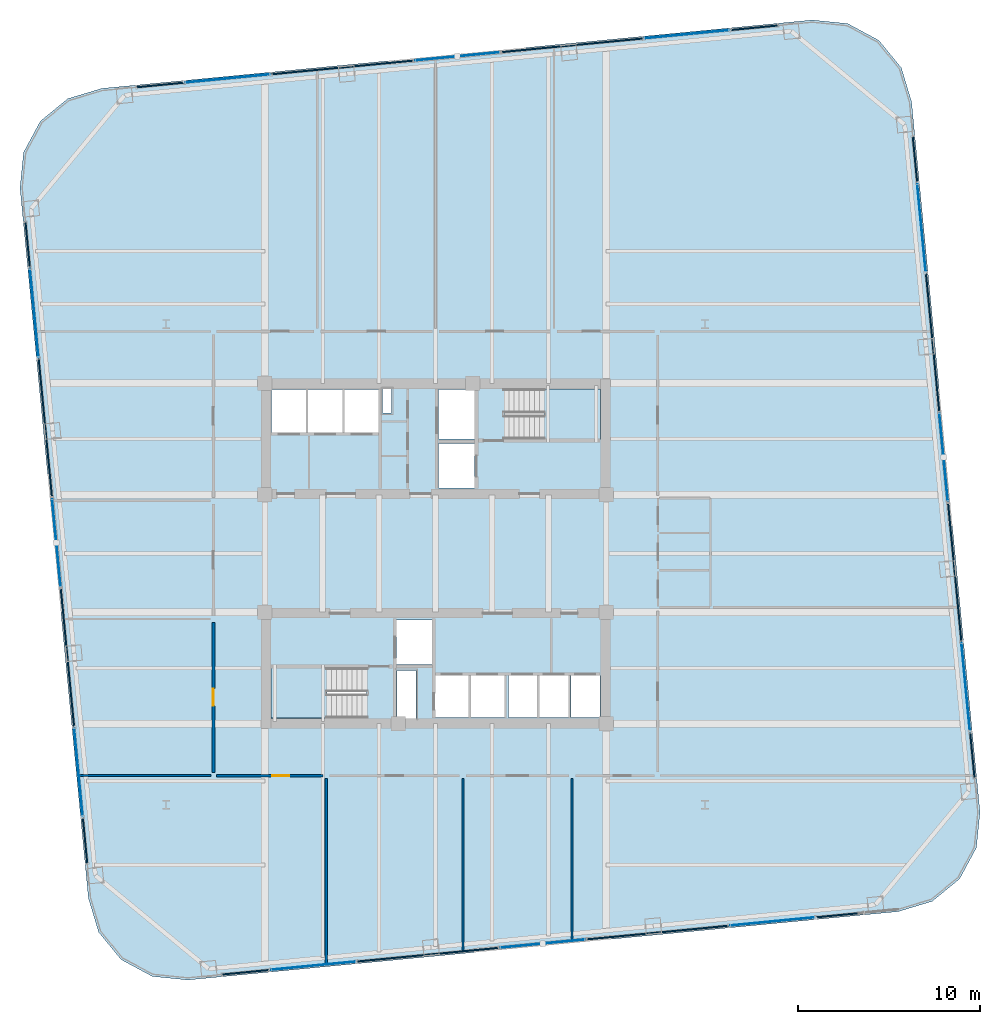
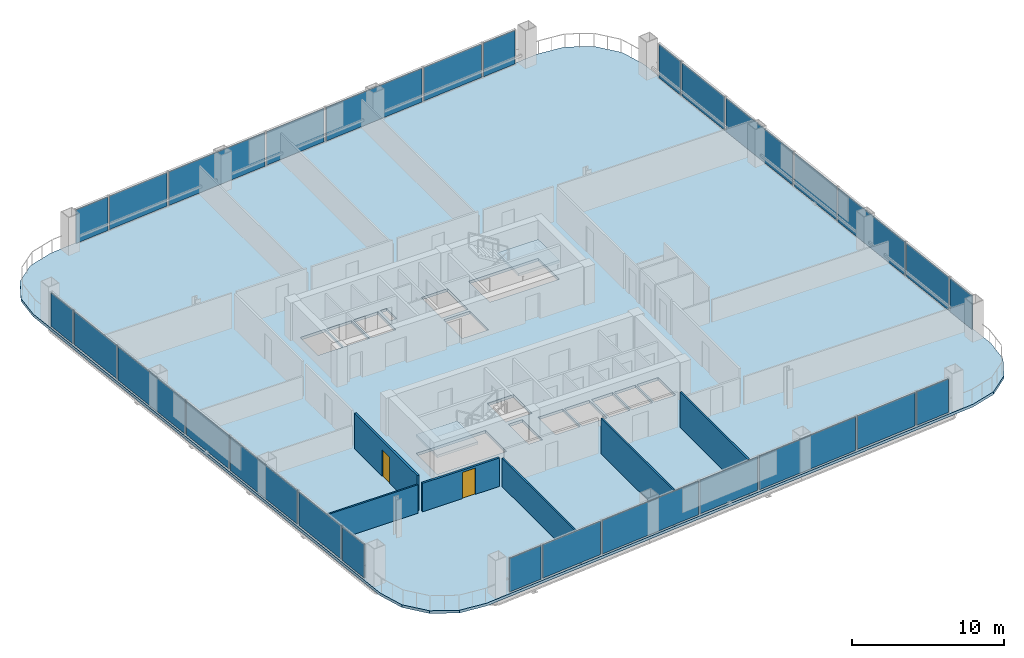
# One storey, part 26 of 32: 28 plates, 6 walls, 3 slabs, 2 doors, 2 openings, 30 elements without a shape of their own.
"""IFC4 building model written with IfcOpenShell, lengths in metres."""

import ifcopenshell
import ifcopenshell.guid

model = None  # the IFC model being written
_history = None  # IfcOwnerHistory: only IFC2X3 demands one
_inside = {}  # id of a spatial element -> (the spatial element, [elements in it])
_under = {}  # id of a project, library or spatial element -> (it, [spatial elements below it])
_declared = {}  # id of a project -> (the project, [libraries it declares])
_typed = {}  # id of a type object -> (the type object, [elements of that type])
_made_of = {}  # id of a material, layer set ... -> (it, [elements and type objects made of it])


def new_model(schema):
    """Start an empty IFC model of exactly this schema.

    Asked for "IFC4X3", IfcOpenShell would pick the latest addendum, in which some entities
    have other attributes; the version numbers below select the first issue.
    IFC2X3 requires an IfcOwnerHistory on every rooted entity: one is made here for all.
    """
    global model, _history
    if schema == "IFC4X3":
        model = ifcopenshell.file(schema_version=(4, 3, 0, 0))
    else:
        model = ifcopenshell.file(schema=schema)
    _inside.clear()
    _under.clear()
    _declared.clear()
    _typed.clear()
    _made_of.clear()
    _history = None
    if model.schema == "IFC2X3":
        org = make("IfcOrganization", Name="unknown")
        user = make(
            "IfcPersonAndOrganization",
            ThePerson=make("IfcPerson", FamilyName="unknown"),
            TheOrganization=org,
        )
        app = make(
            "IfcApplication",
            ApplicationDeveloper=org,
            Version="unknown",
            ApplicationFullName="unknown",
            ApplicationIdentifier="unknown",
        )
        _history = make(
            "IfcOwnerHistory",
            OwningUser=user,
            OwningApplication=app,
            ChangeAction="ADDED",
            CreationDate=0,
        )
    return model


def make(cls, **values):
    """One entity of the class cls with the attributes given. An attribute that is None is left unset."""
    return model.create_entity(
        cls, **{name: value for name, value in values.items() if value is not None}
    )


def rooted(cls, **values):
    """An entity with a GlobalId (a new one), such as an element, a storey or a relation."""
    return make(cls, GlobalId=ifcopenshell.guid.new(), OwnerHistory=_history, **values)


def si_unit(unit_type, name, prefix=None):
    """IfcSIUnit, for example si_unit("LENGTHUNIT", "METRE", prefix="MILLI")."""
    return make("IfcSIUnit", UnitType=unit_type, Prefix=prefix, Name=name)


def assignment(units):
    """IfcUnitAssignment: the units of a project."""
    return None if units is None else make("IfcUnitAssignment", Units=units)


def point(xyz):
    """IfcCartesianPoint."""
    return None if xyz is None else make("IfcCartesianPoint", Coordinates=xyz)


def direction(xyz):
    """IfcDirection."""
    return None if xyz is None else make("IfcDirection", DirectionRatios=xyz)


def frame(location, z_axis=None, x_axis=None):
    """IfcAxis2Placement3D, a coordinate frame: its origin and axes. An axis left out is left unset."""
    return make(
        "IfcAxis2Placement3D",
        Location=point(location),
        Axis=direction(z_axis),
        RefDirection=direction(x_axis),
    )


def frame_2d(location, x_axis=None):
    """IfcAxis2Placement2D, a coordinate frame in the plane: its origin and x axis."""
    return make(
        "IfcAxis2Placement2D", Location=point(location), RefDirection=direction(x_axis)
    )


def origin():
    """The frame at (0, 0, 0) with its axes left unset."""
    return frame((0.0, 0.0, 0.0))


def origin_2d():
    """The frame at (0, 0) in the plane with its x axis left unset."""
    return frame_2d((0.0, 0.0))


def place(relative_to, where):
    """IfcLocalPlacement: puts the frame where relative to a parent placement (None: the world)."""
    return make(
        "IfcLocalPlacement", PlacementRelTo=relative_to, RelativePlacement=where
    )


def context(
    kind, dimensions, precision=None, world=None, true_north=None, identifier=None
):
    """IfcGeometricRepresentationContext, for example the 3D "Model" context."""
    return make(
        "IfcGeometricRepresentationContext",
        ContextIdentifier=identifier,
        ContextType=kind,
        CoordinateSpaceDimension=dimensions,
        Precision=precision,
        WorldCoordinateSystem=world,
        TrueNorth=true_north,
    )


def subcontext(parent, identifier, kind, view, scale=None):
    """IfcGeometricRepresentationSubContext, for example "Body" below "Model"."""
    return make(
        "IfcGeometricRepresentationSubContext",
        ContextIdentifier=identifier,
        ContextType=kind,
        ParentContext=parent,
        TargetScale=scale,
        TargetView=view,
    )


def project(units=None, contexts=None):
    """IfcProject with its units and contexts."""
    return rooted(
        "IfcProject",
        Name="project",
        RepresentationContexts=contexts,
        UnitsInContext=assignment(units),
    )


def spatial(cls, under=None, at=None, **own):
    """A site, building, storey or space (cls), placed at a placement, below another one or the project."""
    s = rooted(cls, ObjectPlacement=at, **own)
    if under is not None:
        _under.setdefault(under.id(), (under, []))[1].append(s)
    return s


def polyline(points):
    """IfcPolyline through the points."""
    return make("IfcPolyline", Points=[point(p) for p in points])


def profile(cls, at=None, kind="AREA", **sizes):
    """A parametric profile (cls). Its sizes go by their IFC names, for example OverallWidth=200.0."""
    return make(cls, ProfileType=kind, Position=at, **sizes)


def rectangle(**sizes):
    """IfcRectangleProfileDef."""
    return profile("IfcRectangleProfileDef", **sizes)


def outline(outer, holes=None, kind="AREA"):
    """IfcArbitraryClosedProfileDef: a profile drawn as a closed curve; with holes, ...WithVoids."""
    if holes is None:
        return make("IfcArbitraryClosedProfileDef", ProfileType=kind, OuterCurve=outer)
    return make(
        "IfcArbitraryProfileDefWithVoids",
        ProfileType=kind,
        OuterCurve=outer,
        InnerCurves=holes,
    )


def extrude(swept, where, along, depth):
    """IfcExtrudedAreaSolid: the profile swept, set in the frame where, extruded along a direction by depth."""
    return make(
        "IfcExtrudedAreaSolid",
        SweptArea=swept,
        Position=where,
        ExtrudedDirection=direction(along),
        Depth=depth,
    )


def shape(context_of_items, identifier, shape_type, items):
    """IfcShapeRepresentation: the items that make up one representation, for example the "Body"."""
    return make(
        "IfcShapeRepresentation",
        ContextOfItems=context_of_items,
        RepresentationIdentifier=identifier,
        RepresentationType=shape_type,
        Items=items,
    )


def material(Name=None, Category=None):
    """IfcMaterial."""
    return make("IfcMaterial", Name=Name, Category=Category)


def layer(
    of_material, thickness, ventilated=None, Name=None, Category=None, Priority=None
):
    """IfcMaterialLayer: one layer of a wall or slab, of a material (None: an air gap)."""
    return make(
        "IfcMaterialLayer",
        Material=of_material,
        LayerThickness=thickness,
        IsVentilated=ventilated,
        Name=Name,
        Category=Category,
        Priority=Priority,
    )


def layer_set(layers, Name=None):
    """IfcMaterialLayerSet."""
    return make("IfcMaterialLayerSet", MaterialLayers=layers, LayerSetName=Name)


def made_of(thing, what):
    """Note that an element or type object is made of a material, layer set ...; save() writes the relation."""
    if what is not None:
        _made_of.setdefault(what.id(), (what, []))[1].append(thing)
    return thing


def type_object(cls, material=None, **own):
    """A type object (cls), such as IfcWallType, which elements share."""
    return made_of(rooted(cls, **own), material)


def element(
    cls,
    number,
    at=None,
    inside=None,
    cuts=None,
    type_object=None,
    material=None,
    context=None,
    identifier="Body",
    shape_type=None,
    held_by="IfcProductDefinitionShape",
    body=None,
    shapes=None,
    **own,
):
    """One element of the class cls, such as IfcWall. Its Tag is "e" and its number.

    at: its placement. inside: the storey or other place that contains it. cuts: it is an
    opening in that element (IfcRelVoidsElement). A single representation is given by context,
    identifier, shape_type and body (its items); several are given by shapes. held_by: the class
    of the entity that holds the representations. save() writes the other relations.
    """
    e = rooted(cls, Tag="e%d" % number, ObjectPlacement=at, **own)
    if body is not None:
        shapes = [shape(context, identifier, shape_type, body)]
    if shapes is not None:
        e.Representation = make(held_by, Representations=shapes)
    if inside is not None:
        _inside.setdefault(inside.id(), (inside, []))[1].append(e)
    if cuts is not None:
        rooted(
            "IfcRelVoidsElement", RelatingBuildingElement=cuts, RelatedOpeningElement=e
        )
    if type_object is not None:
        _typed.setdefault(type_object.id(), (type_object, []))[1].append(e)
    return made_of(e, material)


def fill(opening, filler):
    """IfcRelFillsElement: the door or window that sits in an opening."""
    return rooted(
        "IfcRelFillsElement",
        RelatingOpeningElement=opening,
        RelatedBuildingElement=filler,
    )


def aggregate(whole, parts):
    """IfcRelAggregates: a whole, such as a stair, and the parts it consists of."""
    return rooted("IfcRelAggregates", RelatingObject=whole, RelatedObjects=parts)


def save(model, path):
    """Write the relations noted so far, then the file.

    IfcRelAggregates (storeys below a building ...), IfcRelContainedInSpatialStructure (elements
    in a storey), IfcRelDefinesByType, IfcRelAssociatesMaterial and IfcRelDeclares: one each for
    every whole, place, type object, material and project.
    """
    for whole, parts in _under.values():
        aggregate(whole, parts)
    for where, things in _inside.values():
        rooted(
            "IfcRelContainedInSpatialStructure",
            RelatedElements=things,
            RelatingStructure=where,
        )
    for kind, things in _typed.values():
        rooted("IfcRelDefinesByType", RelatedObjects=things, RelatingType=kind)
    for what, things in _made_of.values():
        rooted("IfcRelAssociatesMaterial", RelatedObjects=things, RelatingMaterial=what)
    for by, libraries in _declared.values():
        rooted("IfcRelDeclares", RelatingContext=by, RelatedDefinitions=libraries)
    model.write(path)


model = new_model("IFC4")

# Units and contexts
model_context = context("Model", 3, precision=1e-05, world=origin(), true_north=direction((0.0, 1.0)))
body_context = subcontext(model_context, "Body", "Model", "MODEL_VIEW")
ifc_project = project(units=[si_unit("LENGTHUNIT", "METRE"), si_unit("AREAUNIT", "SQUARE_METRE"), si_unit("VOLUMEUNIT", "CUBIC_METRE"), si_unit("PLANEANGLEUNIT", "RADIAN"), si_unit("MASSUNIT", "GRAM", prefix="KILO")], contexts=[model_context])

# Site, building, storey
site_placement = place(None, origin())
site = spatial("IfcSite", under=ifc_project, at=site_placement, CompositionType="ELEMENT")
building_placement = place(site_placement, origin())
building = spatial("IfcBuilding", under=site, at=building_placement, Name="Qhalaya Broadcast Tower", CompositionType="ELEMENT")
storey_placement = place(building_placement, frame((0.0, 0.0, 87.75)))
storey = spatial("IfcBuildingStorey", under=building, at=storey_placement, Name="L25", CompositionType="ELEMENT", Elevation=87.75)

# Curtain wall, plate
ifc_material_1 = material(Name="Fired Architectural Terracotta", Category="masonry")
ifc_layer_1 = layer(ifc_material_1, 0.219970703125, Name="Fired Architectural Terracotta")
ifc_layer_set_1 = layer_set([ifc_layer_1], Name="Fired Architectural Terracotta")
curtain_wall_type_1 = type_object("IfcCurtainWallType", Name="Block-Cap Unitised Terracotta Spandrel Wall CW-07", PredefinedType="NOTDEFINED", material=ifc_layer_set_1)
curtain_wall_1_placement = place(storey_placement, origin())
curtain_wall_1 = element("IfcCurtainWall", 1, at=curtain_wall_1_placement, inside=storey, type_object=curtain_wall_type_1, Name="L25 Unitised Curtain Wall L25-CW-S1", PredefinedType="NOTDEFINED")
ifc_layer_2 = layer(ifc_material_1, 0.080078125, Name="Fired Architectural Terracotta")
ifc_layer_set_2 = layer_set([ifc_layer_2], Name="Fired Architectural Terracotta")
plate_type_1 = type_object("IfcPlateType", Name="Insulated Terracotta Spandrel Panel TSP-07", PredefinedType="CURTAIN_PANEL", material=ifc_layer_set_2)
plate_1_placement = place(storey_placement, frame((-10.443115234375, -22.399658203125, 0.0751953125), z_axis=(0.0, 0.0, 1.0), x_axis=(0.995397033761, 0.095837076227, 0.0)))
plate_1 = element("IfcPlate", 2, at=plate_1_placement, type_object=plate_type_1, Name="CW-07 panel 1.1", PredefinedType="CURTAIN_PANEL", context=body_context, shape_type="SweptSolid", body=[
    extrude(rectangle(XDim=2.5400390625, YDim=0.080078125, at=origin_2d()), origin(), (0.0, 0.0, 1.0), 2.679931640625),
])
aggregate(curtain_wall_1, [plate_1])

curtain_wall_2_placement = place(storey_placement, origin())
curtain_wall_2 = element("IfcCurtainWall", 3, at=curtain_wall_2_placement, inside=storey, type_object=curtain_wall_type_1, Name="L25 Unitised Curtain Wall L25-CW-S3", PredefinedType="NOTDEFINED")
plate_2_placement = place(storey_placement, frame((-0.41796875, -21.434326171875, 0.0751953125), z_axis=(0.0, 0.0, 1.0), x_axis=(0.995396908899, 0.095838373083, 0.0)))
plate_2 = element("IfcPlate", 4, at=plate_2_placement, type_object=plate_type_1, Name="CW-07 panel 1.1", PredefinedType="CURTAIN_PANEL", context=body_context, shape_type="SweptSolid", body=[
    extrude(rectangle(XDim=7.73095703125, YDim=0.080078125, at=origin_2d()), origin(), (0.0, 0.0, 1.0), 2.679931640625),
])
aggregate(curtain_wall_2, [plate_2])

curtain_wall_3_placement = place(storey_placement, origin())
curtain_wall_3 = element("IfcCurtainWall", 5, at=curtain_wall_3_placement, inside=storey, type_object=curtain_wall_type_1, Name="L25 Unitised Curtain Wall L25-CW-S5", PredefinedType="NOTDEFINED")
plate_3_placement = place(storey_placement, frame((12.190673828125, -20.22021484375, 0.0751953125), z_axis=(0.0, 0.0, 1.0), x_axis=(0.995396908899, 0.095838373083, 0.0)))
plate_3 = element("IfcPlate", 6, at=plate_3_placement, type_object=plate_type_1, Name="CW-07 panel 1.1", PredefinedType="CURTAIN_PANEL", context=body_context, shape_type="SweptSolid", body=[
    extrude(rectangle(XDim=7.73095703125, YDim=0.080078125, at=origin_2d()), origin(), (0.0, 0.0, 1.0), 2.679931640625),
])
aggregate(curtain_wall_3, [plate_3])

curtain_wall_4_placement = place(storey_placement, origin())
curtain_wall_4 = element("IfcCurtainWall", 7, at=curtain_wall_4_placement, inside=storey, type_object=curtain_wall_type_1, Name="L25 Unitised Curtain Wall L25-CW-S7", PredefinedType="NOTDEFINED")
plate_4_placement = place(storey_placement, frame((22.2158203125, -19.2548828125, 0.0751953125), z_axis=(0.0, 0.0, 1.0), x_axis=(0.995397375184, 0.095833530024, 0.0)))
plate_4 = element("IfcPlate", 8, at=plate_4_placement, type_object=plate_type_1, Name="CW-07 panel 1.1", PredefinedType="CURTAIN_PANEL", context=body_context, shape_type="SweptSolid", body=[
    extrude(rectangle(XDim=2.5400390625, YDim=0.080078125, at=origin_2d()), origin(), (0.0, 0.0, 1.0), 2.679931640625),
])
aggregate(curtain_wall_4, [plate_4])

curtain_wall_5_placement = place(storey_placement, origin())
curtain_wall_5 = element("IfcCurtainWall", 9, at=curtain_wall_5_placement, inside=storey, type_object=curtain_wall_type_1, Name="L25 Unitised Curtain Wall L25-CW-E1", PredefinedType="NOTDEFINED")
plate_5_placement = place(storey_placement, frame((29.48388671875, -10.486083984375, 0.0751953125), z_axis=(0.0, 0.0, 1.0), x_axis=(-0.095852900962, 0.995395510025, 0.0)))
plate_5 = element("IfcPlate", 10, at=plate_5_placement, type_object=plate_type_1, Name="CW-07 panel 1.1", PredefinedType="CURTAIN_PANEL", context=body_context, shape_type="SweptSolid", body=[
    extrude(rectangle(XDim=2.4541015625, YDim=0.080078125, at=origin_2d()), origin(), (0.0, 0.0, 1.0), 2.679931640625),
])
aggregate(curtain_wall_5, [plate_5])

curtain_wall_6_placement = place(storey_placement, origin())
curtain_wall_6 = element("IfcCurtainWall", 11, at=curtain_wall_6_placement, inside=storey, type_object=curtain_wall_type_1, Name="L25 Unitised Curtain Wall L25-CW-E3", PredefinedType="NOTDEFINED")
plate_6_placement = place(storey_placement, frame((28.514404296875, -0.41796875, 0.0751953125), z_axis=(0.0, 0.0, 1.0), x_axis=(-0.095849092763, 0.995395876733, 0.0)))
plate_6 = element("IfcPlate", 12, at=plate_6_placement, type_object=plate_type_1, Name="CW-07 panel 1.1", PredefinedType="CURTAIN_PANEL", context=body_context, shape_type="SweptSolid", body=[
    extrude(rectangle(XDim=7.55908203125, YDim=0.080078125, at=origin_2d()), origin(), (0.0, 0.0, 1.0), 2.679931640625),
])
aggregate(curtain_wall_6, [plate_6])

curtain_wall_7_placement = place(storey_placement, origin())
curtain_wall_7 = element("IfcCurtainWall", 13, at=curtain_wall_7_placement, inside=storey, type_object=curtain_wall_type_1, Name="L25 Unitised Curtain Wall L25-CW-E5", PredefinedType="NOTDEFINED")
plate_7_placement = place(storey_placement, frame((27.30029296875, 12.190673828125, 0.0751953125), z_axis=(0.0, 0.0, 1.0), x_axis=(-0.095849092763, 0.995395876733, 0.0)))
plate_7 = element("IfcPlate", 14, at=plate_7_placement, type_object=plate_type_1, Name="CW-07 panel 1.1", PredefinedType="CURTAIN_PANEL", context=body_context, shape_type="SweptSolid", body=[
    extrude(rectangle(XDim=7.55908203125, YDim=0.080078125, at=origin_2d()), origin(), (0.0, 0.0, 1.0), 2.679931640625),
])
aggregate(curtain_wall_7, [plate_7])

curtain_wall_8_placement = place(storey_placement, origin())
curtain_wall_8 = element("IfcCurtainWall", 15, at=curtain_wall_8_placement, inside=storey, type_object=curtain_wall_type_1, Name="L25 Unitised Curtain Wall L25-CW-E7", PredefinedType="NOTDEFINED")
plate_8_placement = place(storey_placement, frame((26.330810546875, 22.258544921875, 0.0751953125), z_axis=(0.0, 0.0, 1.0), x_axis=(-0.095849237045, 0.995395862839, 0.0)))
plate_8 = element("IfcPlate", 16, at=plate_8_placement, type_object=plate_type_1, Name="CW-07 panel 1.1", PredefinedType="CURTAIN_PANEL", context=body_context, shape_type="SweptSolid", body=[
    extrude(rectangle(XDim=2.4541015625, YDim=0.080078125, at=origin_2d()), origin(), (0.0, 0.0, 1.0), 2.679931640625),
])
aggregate(curtain_wall_8, [plate_8])

curtain_wall_9_placement = place(storey_placement, origin())
curtain_wall_9 = element("IfcCurtainWall", 17, at=curtain_wall_9_placement, inside=storey, type_object=curtain_wall_type_1, Name="L25 Unitised Curtain Wall L25-CW-N1", PredefinedType="NOTDEFINED")
plate_9_placement = place(storey_placement, frame((17.523193359375, 29.479736328125, 0.0751953125), z_axis=(0.0, 0.0, 1.0), x_axis=(-0.995397033761, -0.095837076227, 0.0)))
plate_9 = element("IfcPlate", 18, at=plate_9_placement, type_object=plate_type_1, Name="CW-07 panel 1.1", PredefinedType="CURTAIN_PANEL", context=body_context, shape_type="SweptSolid", body=[
    extrude(rectangle(XDim=2.5400390625, YDim=0.080078125, at=origin_2d()), origin(), (0.0, 0.0, 1.0), 2.679931640625),
])
aggregate(curtain_wall_9, [plate_9])

curtain_wall_10_placement = place(storey_placement, origin())
curtain_wall_10 = element("IfcCurtainWall", 19, at=curtain_wall_10_placement, inside=storey, type_object=curtain_wall_type_1, Name="L25 Unitised Curtain Wall L25-CW-N3", PredefinedType="NOTDEFINED")
plate_10_placement = place(storey_placement, frame((7.498046875, 28.514404296875, 0.0751953125), z_axis=(0.0, 0.0, 1.0), x_axis=(-0.995396908899, -0.095838373083, 0.0)))
plate_10 = element("IfcPlate", 20, at=plate_10_placement, type_object=plate_type_1, Name="CW-07 panel 1.1", PredefinedType="CURTAIN_PANEL", context=body_context, shape_type="SweptSolid", body=[
    extrude(rectangle(XDim=7.73095703125, YDim=0.080078125, at=origin_2d()), origin(), (0.0, 0.0, 1.0), 2.679931640625),
])
aggregate(curtain_wall_10, [plate_10])

curtain_wall_11_placement = place(storey_placement, origin())
curtain_wall_11 = element("IfcCurtainWall", 21, at=curtain_wall_11_placement, inside=storey, type_object=curtain_wall_type_1, Name="L25 Unitised Curtain Wall L25-CW-N5", PredefinedType="NOTDEFINED")
plate_11_placement = place(storey_placement, frame((-5.110595703125, 27.30029296875, 0.0751953125), z_axis=(0.0, 0.0, 1.0), x_axis=(-0.995396908899, -0.095838373083, 0.0)))
plate_11 = element("IfcPlate", 22, at=plate_11_placement, type_object=plate_type_1, Name="CW-07 panel 1.1", PredefinedType="CURTAIN_PANEL", context=body_context, shape_type="SweptSolid", body=[
    extrude(rectangle(XDim=7.73095703125, YDim=0.080078125, at=origin_2d()), origin(), (0.0, 0.0, 1.0), 2.679931640625),
])
aggregate(curtain_wall_11, [plate_11])

curtain_wall_12_placement = place(storey_placement, origin())
curtain_wall_12 = element("IfcCurtainWall", 23, at=curtain_wall_12_placement, inside=storey, type_object=curtain_wall_type_1, Name="L25 Unitised Curtain Wall L25-CW-N7", PredefinedType="NOTDEFINED")
plate_12_placement = place(storey_placement, frame((-15.1357421875, 26.3349609375, 0.0751953125), z_axis=(0.0, 0.0, 1.0), x_axis=(-0.995397375184, -0.095833530024, 0.0)))
plate_12 = element("IfcPlate", 24, at=plate_12_placement, type_object=plate_type_1, Name="CW-07 panel 1.1", PredefinedType="CURTAIN_PANEL", context=body_context, shape_type="SweptSolid", body=[
    extrude(rectangle(XDim=2.5400390625, YDim=0.080078125, at=origin_2d()), origin(), (0.0, 0.0, 1.0), 2.679931640625),
])
aggregate(curtain_wall_12, [plate_12])

curtain_wall_13_placement = place(storey_placement, origin())
curtain_wall_13 = element("IfcCurtainWall", 25, at=curtain_wall_13_placement, inside=storey, type_object=curtain_wall_type_1, Name="L25 Unitised Curtain Wall L25-CW-W1", PredefinedType="NOTDEFINED")
plate_13_placement = place(storey_placement, frame((-22.40380859375, 17.56591796875, 0.0751953125), z_axis=(0.0, 0.0, 1.0), x_axis=(0.095852900962, -0.995395510025, 0.0)))
plate_13 = element("IfcPlate", 26, at=plate_13_placement, type_object=plate_type_1, Name="CW-07 panel 1.1", PredefinedType="CURTAIN_PANEL", context=body_context, shape_type="SweptSolid", body=[
    extrude(rectangle(XDim=2.4541015625, YDim=0.080078125, at=origin_2d()), origin(), (0.0, 0.0, 1.0), 2.679931640625),
])
aggregate(curtain_wall_13, [plate_13])

curtain_wall_14_placement = place(storey_placement, origin())
curtain_wall_14 = element("IfcCurtainWall", 27, at=curtain_wall_14_placement, inside=storey, type_object=curtain_wall_type_1, Name="L25 Unitised Curtain Wall L25-CW-W3", PredefinedType="NOTDEFINED")
plate_14_placement = place(storey_placement, frame((-21.434326171875, 7.498046875, 0.0751953125), z_axis=(0.0, 0.0, 1.0), x_axis=(0.095849092763, -0.995395876733, 0.0)))
plate_14 = element("IfcPlate", 28, at=plate_14_placement, type_object=plate_type_1, Name="CW-07 panel 1.1", PredefinedType="CURTAIN_PANEL", context=body_context, shape_type="SweptSolid", body=[
    extrude(rectangle(XDim=7.55908203125, YDim=0.080078125, at=origin_2d()), origin(), (0.0, 0.0, 1.0), 2.679931640625),
])
aggregate(curtain_wall_14, [plate_14])

curtain_wall_15_placement = place(storey_placement, origin())
curtain_wall_15 = element("IfcCurtainWall", 29, at=curtain_wall_15_placement, inside=storey, type_object=curtain_wall_type_1, Name="L25 Unitised Curtain Wall L25-CW-W5", PredefinedType="NOTDEFINED")
plate_15_placement = place(storey_placement, frame((-20.22021484375, -5.110595703125, 0.0751953125), z_axis=(0.0, 0.0, 1.0), x_axis=(0.095849092763, -0.995395876733, 0.0)))
plate_15 = element("IfcPlate", 30, at=plate_15_placement, type_object=plate_type_1, Name="CW-07 panel 1.1", PredefinedType="CURTAIN_PANEL", context=body_context, shape_type="SweptSolid", body=[
    extrude(rectangle(XDim=7.55908203125, YDim=0.080078125, at=origin_2d()), origin(), (0.0, 0.0, 1.0), 2.679931640625),
])
aggregate(curtain_wall_15, [plate_15])

curtain_wall_16_placement = place(storey_placement, origin())
curtain_wall_16 = element("IfcCurtainWall", 31, at=curtain_wall_16_placement, inside=storey, type_object=curtain_wall_type_1, Name="L25 Unitised Curtain Wall L25-CW-W7", PredefinedType="NOTDEFINED")
plate_16_placement = place(storey_placement, frame((-19.250732421875, -15.178466796875, 0.0751953125), z_axis=(0.0, 0.0, 1.0), x_axis=(0.095849237045, -0.995395862839, 0.0)))
plate_16 = element("IfcPlate", 32, at=plate_16_placement, type_object=plate_type_1, Name="CW-07 panel 1.1", PredefinedType="CURTAIN_PANEL", context=body_context, shape_type="SweptSolid", body=[
    extrude(rectangle(XDim=2.4541015625, YDim=0.080078125, at=origin_2d()), origin(), (0.0, 0.0, 1.0), 2.679931640625),
])
aggregate(curtain_wall_16, [plate_16])

ifc_material_2 = material(Name="Solar-Control Low-E Triple Glazing", Category="glass")
ifc_layer_3 = layer(ifc_material_2, 0.219970703125, Name="Solar-Control Low-E Triple Glazing")
ifc_layer_set_3 = layer_set([ifc_layer_3], Name="Solar-Control Low-E Triple Glazing")
curtain_wall_type_2 = type_object("IfcCurtainWallType", Name="Even-Block 4-Storey Double-Module Curtain Wall CW-03", PredefinedType="NOTDEFINED", material=ifc_layer_set_3)
curtain_wall_17_placement = place(storey_placement, origin())
curtain_wall_17 = element("IfcCurtainWall", 33, at=curtain_wall_17_placement, inside=storey, type_object=curtain_wall_type_2, Name="L25 Unitised Curtain Wall L25-CW-S2", PredefinedType="NOTDEFINED")
ifc_layer_4 = layer(ifc_material_2, 0.035888671875, Name="Solar-Control Low-E Triple Glazing")
ifc_layer_set_4 = layer_set([ifc_layer_4], Name="Solar-Control Low-E Triple Glazing")
plate_type_2 = type_object("IfcPlateType", Name="Solar-Control Curtain Glazing Panel GLP-03", PredefinedType="CURTAIN_PANEL", material=ifc_layer_set_4)
plate_17_placement = place(storey_placement, frame((-6.722412109375, -22.04150390625, 0.0751953125), z_axis=(0.0, 0.0, 1.0), x_axis=(0.995394623965, 0.095862101904, 0.0)))
plate_17 = element("IfcPlate", 34, at=plate_17_placement, type_object=plate_type_2, Name="CW-03 panel 1.1", PredefinedType="CURTAIN_PANEL", context=body_context, shape_type="SweptSolid", body=[
    extrude(rectangle(XDim=4.635986328125, YDim=0.035888671875, at=origin_2d()), origin(), (0.0, 0.0, 1.0), 2.679931640625),
])
aggregate(curtain_wall_17, [plate_17])

curtain_wall_18_placement = place(storey_placement, origin())
curtain_wall_18 = element("IfcCurtainWall", 35, at=curtain_wall_18_placement, inside=storey, type_object=curtain_wall_type_2, Name="L25 Unitised Curtain Wall L25-CW-S4", PredefinedType="NOTDEFINED")
plate_18_placement = place(storey_placement, frame((5.88623046875, -20.827392578125, 0.0751953125), z_axis=(0.0, 0.0, 1.0), x_axis=(0.995394623965, 0.095862101904, 0.0)))
plate_18 = element("IfcPlate", 36, at=plate_18_placement, type_object=plate_type_2, Name="CW-03 panel 1.1", PredefinedType="CURTAIN_PANEL", context=body_context, shape_type="SweptSolid", body=[
    extrude(rectangle(XDim=4.635986328125, YDim=0.035888671875, at=origin_2d()), origin(), (0.0, 0.0, 1.0), 2.679931640625),
])
aggregate(curtain_wall_18, [plate_18])

curtain_wall_19_placement = place(storey_placement, origin())
curtain_wall_19 = element("IfcCurtainWall", 37, at=curtain_wall_19_placement, inside=storey, type_object=curtain_wall_type_2, Name="L25 Unitised Curtain Wall L25-CW-S6", PredefinedType="NOTDEFINED")
plate_19_placement = place(storey_placement, frame((18.494873046875, -19.61328125, 0.0751953125), z_axis=(0.0, 0.0, 1.0), x_axis=(0.995394431952, 0.095864095672, 0.0)))
plate_19 = element("IfcPlate", 38, at=plate_19_placement, type_object=plate_type_2, Name="CW-03 panel 1.1", PredefinedType="CURTAIN_PANEL", context=body_context, shape_type="SweptSolid", body=[
    extrude(rectangle(XDim=4.635986328125, YDim=0.035888671875, at=origin_2d()), origin(), (0.0, 0.0, 1.0), 2.679931640625),
])
aggregate(curtain_wall_19, [plate_19])

curtain_wall_20_placement = place(storey_placement, origin())
curtain_wall_20 = element("IfcCurtainWall", 39, at=curtain_wall_20_placement, inside=storey, type_object=curtain_wall_type_2, Name="L25 Unitised Curtain Wall L25-CW-E2", PredefinedType="NOTDEFINED")
plate_20_placement = place(storey_placement, frame((29.121337890625, -6.722412109375, 0.0751953125), z_axis=(0.0, 0.0, 1.0), x_axis=(-0.095844611292, 0.995396308254, 0.0)))
plate_20 = element("IfcPlate", 40, at=plate_20_placement, type_object=plate_type_2, Name="CW-03 panel 1.1", PredefinedType="CURTAIN_PANEL", context=body_context, shape_type="SweptSolid", body=[
    extrude(rectangle(XDim=4.80810546875, YDim=0.035888671875, at=origin_2d()), origin(), (0.0, 0.0, 1.0), 2.679931640625),
])
aggregate(curtain_wall_20, [plate_20])

curtain_wall_21_placement = place(storey_placement, origin())
curtain_wall_21 = element("IfcCurtainWall", 41, at=curtain_wall_21_placement, inside=storey, type_object=curtain_wall_type_2, Name="L25 Unitised Curtain Wall L25-CW-E4", PredefinedType="NOTDEFINED")
plate_21_placement = place(storey_placement, frame((27.9072265625, 5.88623046875, 0.0751953125), z_axis=(0.0, 0.0, 1.0), x_axis=(-0.095844611292, 0.995396308254, 0.0)))
plate_21 = element("IfcPlate", 42, at=plate_21_placement, type_object=plate_type_2, Name="CW-03 panel 1.1", PredefinedType="CURTAIN_PANEL", context=body_context, shape_type="SweptSolid", body=[
    extrude(rectangle(XDim=4.80810546875, YDim=0.035888671875, at=origin_2d()), origin(), (0.0, 0.0, 1.0), 2.679931640625),
])
aggregate(curtain_wall_21, [plate_21])

curtain_wall_22_placement = place(storey_placement, origin())
curtain_wall_22 = element("IfcCurtainWall", 43, at=curtain_wall_22_placement, inside=storey, type_object=curtain_wall_type_2, Name="L25 Unitised Curtain Wall L25-CW-E6", PredefinedType="NOTDEFINED")
plate_22_placement = place(storey_placement, frame((26.693115234375, 18.494873046875, 0.0751953125), z_axis=(0.0, 0.0, 1.0), x_axis=(-0.095846535553, 0.995396122969, 0.0)))
plate_22 = element("IfcPlate", 44, at=plate_22_placement, type_object=plate_type_2, Name="CW-03 panel 1.1", PredefinedType="CURTAIN_PANEL", context=body_context, shape_type="SweptSolid", body=[
    extrude(rectangle(XDim=4.807861328125, YDim=0.035888671875, at=origin_2d()), origin(), (0.0, 0.0, 1.0), 2.679931640625),
])
aggregate(curtain_wall_22, [plate_22])

curtain_wall_23_placement = place(storey_placement, origin())
curtain_wall_23 = element("IfcCurtainWall", 45, at=curtain_wall_23_placement, inside=storey, type_object=curtain_wall_type_2, Name="L25 Unitised Curtain Wall L25-CW-N2", PredefinedType="NOTDEFINED")
plate_23_placement = place(storey_placement, frame((13.802490234375, 29.121337890625, 0.0751953125), z_axis=(0.0, 0.0, 1.0), x_axis=(-0.995394623965, -0.095862101904, 0.0)))
plate_23 = element("IfcPlate", 46, at=plate_23_placement, type_object=plate_type_2, Name="CW-03 panel 1.1", PredefinedType="CURTAIN_PANEL", context=body_context, shape_type="SweptSolid", body=[
    extrude(rectangle(XDim=4.635986328125, YDim=0.035888671875, at=origin_2d()), origin(), (0.0, 0.0, 1.0), 2.679931640625),
])
aggregate(curtain_wall_23, [plate_23])

curtain_wall_24_placement = place(storey_placement, origin())
curtain_wall_24 = element("IfcCurtainWall", 47, at=curtain_wall_24_placement, inside=storey, type_object=curtain_wall_type_2, Name="L25 Unitised Curtain Wall L25-CW-N4", PredefinedType="NOTDEFINED")
plate_24_placement = place(storey_placement, frame((1.193603515625, 27.9072265625, 0.0751953125), z_axis=(0.0, 0.0, 1.0), x_axis=(-0.995394623965, -0.095862101904, 0.0)))
plate_24 = element("IfcPlate", 48, at=plate_24_placement, type_object=plate_type_2, Name="CW-03 panel 1.1", PredefinedType="CURTAIN_PANEL", context=body_context, shape_type="SweptSolid", body=[
    extrude(rectangle(XDim=4.635986328125, YDim=0.035888671875, at=origin_2d()), origin(), (0.0, 0.0, 1.0), 2.679931640625),
])
aggregate(curtain_wall_24, [plate_24])

curtain_wall_25_placement = place(storey_placement, origin())
curtain_wall_25 = element("IfcCurtainWall", 49, at=curtain_wall_25_placement, inside=storey, type_object=curtain_wall_type_2, Name="L25 Unitised Curtain Wall L25-CW-N6", PredefinedType="NOTDEFINED")
plate_25_placement = place(storey_placement, frame((-11.4150390625, 26.693115234375, 0.0751953125), z_axis=(0.0, 0.0, 1.0), x_axis=(-0.995394431952, -0.095864095672, 0.0)))
plate_25 = element("IfcPlate", 50, at=plate_25_placement, type_object=plate_type_2, Name="CW-03 panel 1.1", PredefinedType="CURTAIN_PANEL", context=body_context, shape_type="SweptSolid", body=[
    extrude(rectangle(XDim=4.635986328125, YDim=0.035888671875, at=origin_2d()), origin(), (0.0, 0.0, 1.0), 2.679931640625),
])
aggregate(curtain_wall_25, [plate_25])

curtain_wall_26_placement = place(storey_placement, origin())
curtain_wall_26 = element("IfcCurtainWall", 51, at=curtain_wall_26_placement, inside=storey, type_object=curtain_wall_type_2, Name="L25 Unitised Curtain Wall L25-CW-W2", PredefinedType="NOTDEFINED")
plate_26_placement = place(storey_placement, frame((-22.04150390625, 13.802490234375, 0.0751953125), z_axis=(0.0, 0.0, 1.0), x_axis=(0.095844611292, -0.995396308254, 0.0)))
plate_26 = element("IfcPlate", 52, at=plate_26_placement, type_object=plate_type_2, Name="CW-03 panel 1.1", PredefinedType="CURTAIN_PANEL", context=body_context, shape_type="SweptSolid", body=[
    extrude(rectangle(XDim=4.80810546875, YDim=0.035888671875, at=origin_2d()), origin(), (0.0, 0.0, 1.0), 2.679931640625),
])
aggregate(curtain_wall_26, [plate_26])

curtain_wall_27_placement = place(storey_placement, origin())
curtain_wall_27 = element("IfcCurtainWall", 53, at=curtain_wall_27_placement, inside=storey, type_object=curtain_wall_type_2, Name="L25 Unitised Curtain Wall L25-CW-W4", PredefinedType="NOTDEFINED")
plate_27_placement = place(storey_placement, frame((-20.827392578125, 1.193603515625, 0.0751953125), z_axis=(0.0, 0.0, 1.0), x_axis=(0.095844611292, -0.995396308254, 0.0)))
plate_27 = element("IfcPlate", 54, at=plate_27_placement, type_object=plate_type_2, Name="CW-03 panel 1.1", PredefinedType="CURTAIN_PANEL", context=body_context, shape_type="SweptSolid", body=[
    extrude(rectangle(XDim=4.80810546875, YDim=0.035888671875, at=origin_2d()), origin(), (0.0, 0.0, 1.0), 2.679931640625),
])
aggregate(curtain_wall_27, [plate_27])

curtain_wall_28_placement = place(storey_placement, origin())
curtain_wall_28 = element("IfcCurtainWall", 55, at=curtain_wall_28_placement, inside=storey, type_object=curtain_wall_type_2, Name="L25 Unitised Curtain Wall L25-CW-W6", PredefinedType="NOTDEFINED")
plate_28_placement = place(storey_placement, frame((-19.61328125, -11.4150390625, 0.0751953125), z_axis=(0.0, 0.0, 1.0), x_axis=(0.095846535553, -0.995396122969, 0.0)))
plate_28 = element("IfcPlate", 56, at=plate_28_placement, type_object=plate_type_2, Name="CW-03 panel 1.1", PredefinedType="CURTAIN_PANEL", context=body_context, shape_type="SweptSolid", body=[
    extrude(rectangle(XDim=4.807861328125, YDim=0.035888671875, at=origin_2d()), origin(), (0.0, 0.0, 1.0), 2.679931640625),
])
aggregate(curtain_wall_28, [plate_28])

# Stair, slab
ifc_material_3 = material(Name="Concrete C40/50", Category="concrete")
stair_type = type_object("IfcStairType", Name="Protected Dogleg Core Stair 3150", PredefinedType="TWO_STRAIGHT_RUN_STAIR", material=ifc_material_3)
stair_1_placement = place(storey_placement, origin())
stair_1 = element("IfcStair", 57, at=stair_1_placement, inside=storey, type_object=stair_type, Name="L25 North Core Exit Stair ST-1", PredefinedType="TWO_STRAIGHT_RUN_STAIR")
ifc_layer_5 = layer(ifc_material_3, 0.199951171875, Name="Concrete C40/50")
ifc_layer_set_5 = layer_set([ifc_layer_5], Name="Concrete C40/50")
slab_type_1 = type_object("IfcSlabType", Name="Stair & Ramp Half-Landing Slab 200", PredefinedType="LANDING", material=ifc_layer_set_5)
slab_1_placement = place(storey_placement, frame((0.0, 0.0, 1.324951171875)))
slab_1 = element("IfcSlab", 58, at=slab_1_placement, type_object=slab_type_1, Name="ST-1 landing 1", PredefinedType="LANDING", context=body_context, shape_type="SweptSolid", body=[
    extrude(outline(polyline([(5.955078125, 6.8798828125), (9.050048828125, 6.8798828125), (9.050048828125, 9.639892578125), (5.955078125, 9.639892578125), (5.955078125, 6.8798828125)])), origin(), (0.0, 0.0, 1.0), 0.199951171875),
])
aggregate(stair_1, [slab_1])

stair_2_placement = place(storey_placement, origin())
stair_2 = element("IfcStair", 59, at=stair_2_placement, inside=storey, type_object=stair_type, Name="L25 South Core Exit Stair ST-2", PredefinedType="TWO_STRAIGHT_RUN_STAIR")
slab_2_placement = place(storey_placement, frame((0.0, 0.0, 1.324951171875)))
slab_2 = element("IfcSlab", 60, at=slab_2_placement, type_object=slab_type_1, Name="ST-2 landing 1", PredefinedType="LANDING", context=body_context, shape_type="SweptSolid", body=[
    extrude(outline(polyline([(-5.955078125, -5.679931640625), (-9.050048828125, -5.679931640625), (-9.050048828125, -8.43994140625), (-5.955078125, -8.43994140625), (-5.955078125, -5.679931640625)])), origin(), (0.0, 0.0, 1.0), 0.199951171875),
])
aggregate(stair_2, [slab_2])

# Slab
ifc_layer_6 = layer(ifc_material_3, 0.219970703125, Name="Concrete C40/50")
ifc_layer_set_6 = layer_set([ifc_layer_6], Name="Concrete C40/50")
slab_type_2 = type_object("IfcSlabType", Name="Tower Composite Floor Slab 220", PredefinedType="FLOOR", material=ifc_layer_set_6)
slab_3_placement = place(storey_placement, frame((0.0, 0.0, -0.219970703125)))
element("IfcSlab", 61, at=slab_3_placement, inside=storey, type_object=slab_type_2, Name="L25 Main Structural Floor Slab", PredefinedType="FLOOR", context=body_context, shape_type="SweptSolid", body=[
    extrude(outline(polyline([(25.40771484375, -19.068115234375), (27.275634765625, -18.505859375), (28.78662109375, -17.271484375), (29.7099609375, -15.552978515625), (29.9052734375, -13.612060546875), (26.148193359375, 25.40771484375), (25.5859375, 27.275634765625), (24.3515625, 28.78662109375), (22.633056640625, 29.7099609375), (20.69189453125, 29.9052734375), (-18.32763671875, 26.148193359375), (-20.19580078125, 25.5859375), (-21.70654296875, 24.3515625), (-22.6298828125, 22.633056640625), (-22.8251953125, 20.69189453125), (-19.068115234375, -18.32763671875), (-18.505859375, -20.19580078125), (-17.271484375, -21.70654296875), (-15.552978515625, -22.6298828125), (-13.612060546875, -22.8251953125), (25.40771484375, -19.068115234375)]), holes=[polyline([(3.784912109375, 9.639892578125), (9.050048828125, 9.639892578125), (9.050048828125, 6.8798828125), (3.784912109375, 6.8798828125), (3.784912109375, 9.639892578125)]), polyline([(-3.784912109375, -8.43994140625), (-9.050048828125, -8.43994140625), (-9.050048828125, -5.679931640625), (-3.784912109375, -5.679931640625), (-3.784912109375, -8.43994140625)]), polyline([(0.14990234375, 6.64990234375), (2.14990234375, 6.64990234375), (2.14990234375, 4.199951171875), (0.14990234375, 4.199951171875), (0.14990234375, 6.64990234375)]), polyline([(0.14990234375, 9.60009765625), (2.14990234375, 9.60009765625), (2.14990234375, 6.89990234375), (0.14990234375, 6.89990234375), (0.14990234375, 9.60009765625)]), polyline([(-2.14990234375, -3.050048828125), (-0.14990234375, -3.050048828125), (-0.14990234375, -5.5), (-2.14990234375, -5.5), (-2.14990234375, -3.050048828125)]), polyline([(-9.0, 9.60009765625), (-7.1201171875, 9.60009765625), (-7.1201171875, 7.25), (-9.0, 7.25), (-9.0, 9.60009765625)]), polyline([(-7.0, 9.60009765625), (-5.1201171875, 9.60009765625), (-5.1201171875, 7.25), (-7.0, 7.25), (-7.0, 9.60009765625)]), polyline([(-5.0, 9.60009765625), (-3.1201171875, 9.60009765625), (-3.1201171875, 7.25), (-5.0, 7.25), (-5.0, 9.60009765625)]), polyline([(-0.050048828125, -6.10009765625), (1.830078125, -6.10009765625), (1.830078125, -8.39990234375), (-0.050048828125, -8.39990234375), (-0.050048828125, -6.10009765625)]), polyline([(1.949951171875, -6.10009765625), (3.830078125, -6.10009765625), (3.830078125, -8.39990234375), (1.949951171875, -8.39990234375), (1.949951171875, -6.10009765625)]), polyline([(4.0, -6.10009765625), (5.60009765625, -6.10009765625), (5.60009765625, -8.39990234375), (4.0, -8.39990234375), (4.0, -6.10009765625)]), polyline([(5.719970703125, -6.10009765625), (7.320068359375, -6.10009765625), (7.320068359375, -8.39990234375), (5.719970703125, -8.39990234375), (5.719970703125, -6.10009765625)]), polyline([(7.43994140625, -6.10009765625), (9.0400390625, -6.10009765625), (9.0400390625, -8.39990234375), (7.43994140625, -8.39990234375), (7.43994140625, -6.10009765625)]), polyline([(-2.919921875, 9.659912109375), (-2.419921875, 9.659912109375), (-2.419921875, 8.320068359375), (-2.919921875, 8.320068359375), (-2.919921875, 9.659912109375)]), polyline([(-2.1201171875, -5.820068359375), (-1.080078125, -5.820068359375), (-1.080078125, -8.4599609375), (-2.1201171875, -8.4599609375), (-2.1201171875, -5.820068359375)])]), origin(), (0.0, 0.0, 1.0), 0.219970703125),
])

# Wall, opening, door
ifc_material_4 = material(Name="Gypsum Acoustic Partition")
ifc_layer_7 = layer(ifc_material_4, 0.14990234375, Name="Gypsum Acoustic Partition")
ifc_layer_set_7 = layer_set([ifc_layer_7], Name="Gypsum Acoustic Partition")
wall_type_1 = type_object("IfcWallType", Name="Corridor & Tenancy Acoustic Partition 150", PredefinedType="PARTITIONING", material=ifc_layer_set_7)
wall_1_placement = place(storey_placement, frame((-12.02001953125, -11.60009765625, 0.0), z_axis=(0.0, 0.0, 1.0), x_axis=(1.0, 0.0, 0.0)))
wall_1 = element("IfcWall", 62, at=wall_1_placement, inside=storey, type_object=wall_type_1, Name="L25 Partition Wall W-COR-05", PredefinedType="PARTITIONING", context=body_context, shape_type="SweptSolid", body=[
    extrude(rectangle(XDim=5.840087890625, YDim=0.14990234375, at=frame_2d((2.919921875, 0.0))), origin(), (0.0, 0.0, 1.0), 2.27392578125),
])
opening_1_placement = place(wall_1_placement, frame((3.044921875, 0.0, 0.0)))
opening_1 = element("IfcOpeningElement", 63, at=opening_1_placement, cuts=wall_1, Name="Opening D10", PredefinedType="OPENING", context=body_context, shape_type="SweptSolid", body=[
    extrude(rectangle(XDim=0.949951171875, YDim=2.10009765625, at=frame_2d((0.47509765625, 1.050048828125))), frame((0.0, 0.0869140625, 0.0), z_axis=(0.0, -1.0, 0.0), x_axis=(1.0, 0.0, 0.0)), (0.0, 0.0, 1.0), 0.173828125),
])
ifc_material_5 = material(Name="Timber Veneer Acoustic Door", Category="wood")
door_type = type_object("IfcDoorType", Name="Cellular Office & Edit Booth Door D10", OperationType="NOTDEFINED", PredefinedType="DOOR", material=ifc_material_5)
door_1_placement = place(opening_1_placement, origin())
door_1 = element("IfcDoor", 64, at=door_1_placement, inside=storey, type_object=door_type, Name="L25 Door D-RM05", OperationType="SINGLE_SWING_LEFT", OverallHeight=2.10009765625, OverallWidth=0.949951171875, PredefinedType="DOOR", context=body_context, shape_type="SweptSolid", body=[
    extrude(rectangle(XDim=0.949951171875, YDim=2.10009765625, at=frame_2d((0.47509765625, 1.050048828125))), frame((0.0, 0.02490234375, 0.0), z_axis=(0.0, -1.0, 0.0), x_axis=(1.0, 0.0, 0.0)), (0.0, 0.0, 1.0), 0.050048828125),
])
fill(opening_1, door_1)

wall_2_placement = place(storey_placement, frame((-12.199951171875, -11.419921875, 0.0), z_axis=(0.0, 0.0, 1.0), x_axis=(0.0, 1.0, 0.0)))
wall_2 = element("IfcWall", 65, at=wall_2_placement, inside=storey, type_object=wall_type_1, Name="L25 Partition Wall W-COR-09", PredefinedType="PARTITIONING", context=body_context, shape_type="SweptSolid", body=[
    extrude(rectangle(XDim=8.239990234375, YDim=0.14990234375, at=frame_2d((4.1201171875, 0.0))), origin(), (0.0, 0.0, 1.0), 2.830078125),
])
opening_2_placement = place(wall_2_placement, frame((3.64501953125, 0.0, 0.0)))
opening_2 = element("IfcOpeningElement", 66, at=opening_2_placement, cuts=wall_2, Name="Opening D10", PredefinedType="OPENING", context=body_context, shape_type="SweptSolid", body=[
    extrude(rectangle(XDim=0.949951171875, YDim=2.10009765625, at=frame_2d((0.47509765625, 1.050048828125))), frame((0.0, 0.0869140625, 0.0), z_axis=(0.0, -1.0, 0.0), x_axis=(1.0, 0.0, 0.0)), (0.0, 0.0, 1.0), 0.173828125),
])
door_2_placement = place(opening_2_placement, origin())
door_2 = element("IfcDoor", 67, at=door_2_placement, inside=storey, type_object=door_type, Name="L25 Door D-RM09", OperationType="SINGLE_SWING_LEFT", OverallHeight=2.10009765625, OverallWidth=0.949951171875, PredefinedType="DOOR", context=body_context, shape_type="SweptSolid", body=[
    extrude(rectangle(XDim=0.949951171875, YDim=2.10009765625, at=frame_2d((0.47509765625, 1.050048828125))), frame((0.0, 0.02490234375, 0.0), z_axis=(0.0, -1.0, 0.0), x_axis=(1.0, 0.0, 0.0)), (0.0, 0.0, 1.0), 0.050048828125),
])
fill(opening_2, door_2)

# Walls
ifc_layer_8 = layer(ifc_material_4, 0.1201171875, Name="Gypsum Acoustic Partition")
ifc_layer_set_8 = layer_set([ifc_layer_8], Name="Gypsum Acoustic Partition")
wall_type_2 = type_object("IfcWallType", Name="Office, Booth & Sanitary Partition 120", PredefinedType="PARTITIONING", material=ifc_layer_set_8)
wall_3_placement = place(storey_placement, frame((-19.595458984375, -11.60009765625, 0.0), z_axis=(0.0, 0.0, 1.0), x_axis=(1.0, 0.0, 0.0)))
element("IfcWall", 68, at=wall_3_placement, inside=storey, type_object=wall_type_2, Name="L25 Partition Wall W-BNDW2", PredefinedType="PARTITIONING", context=body_context, shape_type="SweptSolid", body=[
    extrude(rectangle(XDim=7.25537109375, YDim=0.1201171875, at=frame_2d((3.627685546875, 0.0))), origin(), (0.0, 0.0, 1.0), 2.27392578125),
])
wall_4_placement = place(storey_placement, frame((-6.0, -21.9716796875, 0.0), z_axis=(0.0, 0.0, 1.0), x_axis=(0.0, 1.0, 0.0)))
element("IfcWall", 69, at=wall_4_placement, inside=storey, type_object=wall_type_2, Name="L25 Partition Wall W-DIVS1", PredefinedType="PARTITIONING", context=body_context, shape_type="SweptSolid", body=[
    extrude(rectangle(XDim=10.211669921875, YDim=0.1201171875, at=frame_2d((5.10595703125, 0.0))), origin(), (0.0, 0.0, 1.0), 2.27392578125),
])
wall_5_placement = place(storey_placement, frame((1.5, -21.24951171875, 0.0), z_axis=(0.0, 0.0, 1.0), x_axis=(0.0, 1.0, 0.0)))
element("IfcWall", 70, at=wall_5_placement, inside=storey, type_object=wall_type_2, Name="L25 Partition Wall W-DIVS2", PredefinedType="PARTITIONING", context=body_context, shape_type="SweptSolid", body=[
    extrude(rectangle(XDim=9.489501953125, YDim=0.1201171875, at=frame_2d((4.74462890625, 0.0))), origin(), (0.0, 0.0, 1.0), 2.830078125),
])
wall_6_placement = place(storey_placement, frame((7.5, -20.671875, 0.0), z_axis=(0.0, 0.0, 1.0), x_axis=(0.0, 1.0, 0.0)))
element("IfcWall", 71, at=wall_6_placement, inside=storey, type_object=wall_type_2, Name="L25 Partition Wall W-DIVS3", PredefinedType="PARTITIONING", context=body_context, shape_type="SweptSolid", body=[
    extrude(rectangle(XDim=8.911865234375, YDim=0.1201171875, at=frame_2d((4.4560546875, 0.0))), origin(), (0.0, 0.0, 1.0), 2.830078125),
])

save(model, "model.ifc")
